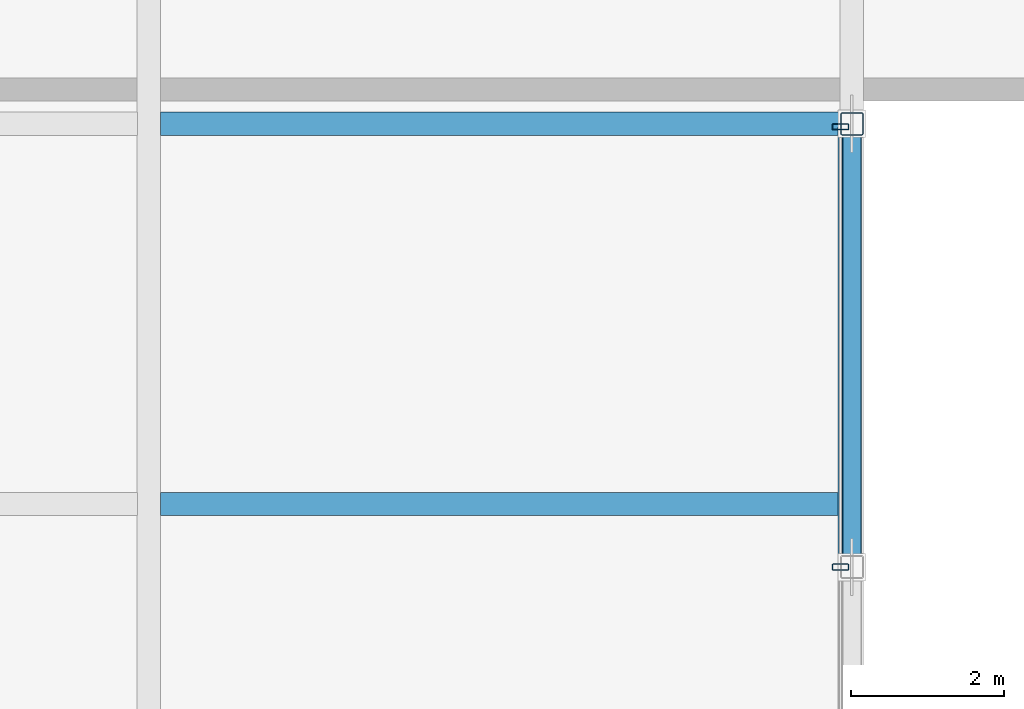
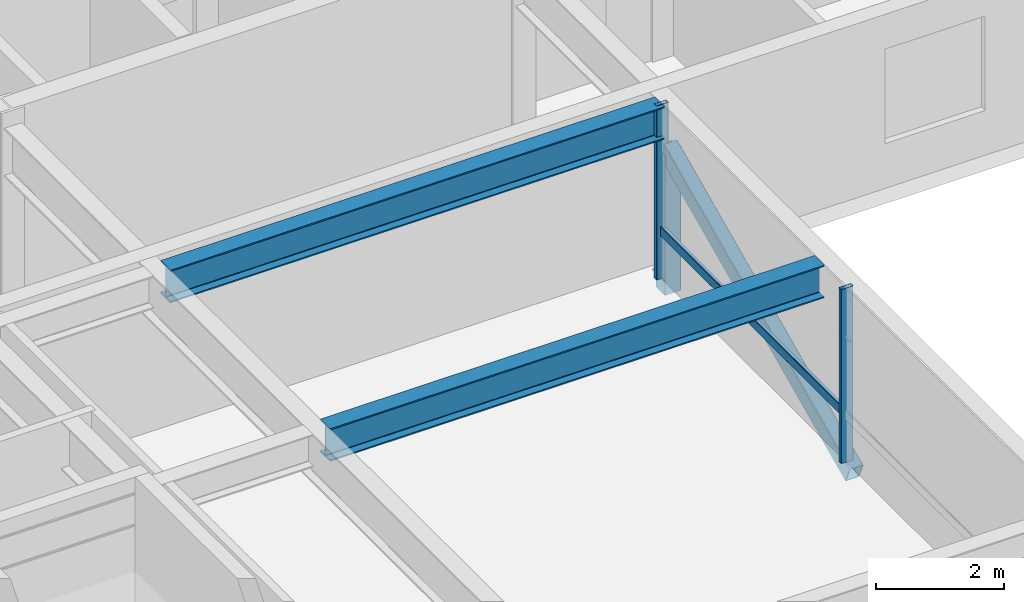
# One storey, part 12 of 36: 5 members, 2 beams, 1 element without a shape of its own.
"""IFC4 building model written with IfcOpenShell, lengths in metres."""

from ifc_helpers import new_model, si_unit, direction, frame, origin, origin_2d, place, context, subcontext, project, spatial, hollow_rectangle, i_section, extrude, material, layer, layer_set, material_profile, profile_set, type_object, element, aggregate, save


model = new_model("IFC4")

# Units and contexts
model_context = context("Model", 3, precision=1e-05, world=origin(), true_north=direction((0.0, 1.0)))
body_context = subcontext(model_context, "Body", "Model", "MODEL_VIEW")
ifc_project = project(units=[si_unit("LENGTHUNIT", "METRE"), si_unit("AREAUNIT", "SQUARE_METRE"), si_unit("VOLUMEUNIT", "CUBIC_METRE"), si_unit("PLANEANGLEUNIT", "RADIAN"), si_unit("MASSUNIT", "GRAM", prefix="KILO")], contexts=[model_context])

# Site, building, storey
site_placement = place(None, origin())
site = spatial("IfcSite", under=ifc_project, at=site_placement, CompositionType="ELEMENT")
building_placement = place(site_placement, origin())
building = spatial("IfcBuilding", under=site, at=building_placement, Name="Korimba Cascade Residences", CompositionType="ELEMENT")
storey_placement = place(building_placement, frame((0.0, 0.0, 142.89990234375)))
storey = spatial("IfcBuildingStorey", under=building, at=storey_placement, Name="L41", CompositionType="ELEMENT", Elevation=142.89990234375)

# Beams
ifc_material_1 = material(Name="Steel S355", Category="steel")
ifc_material_profile_1 = material_profile(ifc_material_1, i_section(OverallWidth=0.30712890625, OverallDepth=0.6201171875, WebThickness=0.01416015625, FlangeThickness=0.023681640625, FilletRadius=0.0166015625, at=origin_2d()), Name="Steel S355")
ifc_profile_set_1 = profile_set([ifc_material_profile_1], Name="Steel S355")
beam_type = type_object("IfcBeamType", Name="BM-STL-UB610A", PredefinedType="BEAM", material=ifc_profile_set_1)
for number, where, z_axis, x_axis, name in (
    (1, (103.052001953125, 45.52490234375, 3.0), (1.0, 0.0, 0.0), (0.0, 1.0, 0.0), "L41 Mid-Bridge Cross Beam 45.5"),
    (2, (103.052001953125, 50.5, 3.0), (1.0, 0.0, 0.0), (0.0, 1.0, 0.0), "L41 Mid-Bridge Cross Beam 50.5"),
):
    element("IfcBeam", number, at=place(storey_placement, frame(where, z_axis=z_axis, x_axis=x_axis)), inside=storey, type_object=beam_type, Name=name, PredefinedType="BEAM", context=body_context, shape_type="SweptSolid", body=[
        extrude(i_section(OverallWidth=0.30712890625, OverallDepth=0.6201171875, WebThickness=0.01416015625, FlangeThickness=0.023681640625, FilletRadius=0.0166015625, at=origin_2d()), origin(), (0.0, 0.0, 1.0), 8.89599609375),
    ])

# Curtain wall, members
ifc_material_2 = material(Name="Anodised Aluminium Curtain Wall Framing", Category="aluminium")
ifc_layer = layer(ifc_material_2, 0.179931640625)
ifc_layer_set = layer_set([ifc_layer], Name="Anodised Aluminium Curtain Wall Framing")
curtain_wall_type = type_object("IfcCurtainWallType", Name="CW-BRG-SYS3", PredefinedType="NOTDEFINED", material=ifc_layer_set)
curtain_wall_placement = place(storey_placement, origin())
curtain_wall = element("IfcCurtainWall", 3, at=curtain_wall_placement, inside=storey, type_object=curtain_wall_type, Name="L41 Curtain Wall CW-L41-BRG-E", PredefinedType="NOTDEFINED")
ifc_material_3 = material(Name="Anodised Aluminium Mullion", Category="aluminium")
ifc_material_profile_2 = material_profile(ifc_material_3, hollow_rectangle(XDim=0.080078125, YDim=0.219970703125, WallThickness=0.00634765625, InnerFilletRadius=0.00634765625, OuterFilletRadius=0.0126953125, at=origin_2d()), Name="Anodised Aluminium Mullion")
ifc_profile_set_2 = profile_set([ifc_material_profile_2], Name="Anodised Aluminium Mullion")
member_type_1 = type_object("IfcMemberType", Name="CWM-MUL-220", PredefinedType="MULLION", material=ifc_profile_set_2)
member_1_placement = place(storey_placement, frame((111.949951171875, 44.699951171875, 0.0), z_axis=(0.0, 0.0, 1.0), x_axis=(0.0, 1.0, 0.0)))
member_1 = element("IfcMember", 4, at=member_1_placement, type_object=member_type_1, Name="CW-L41-BRG-E Mullion 3", PredefinedType="MULLION", context=body_context, shape_type="SweptSolid", body=[
    extrude(hollow_rectangle(XDim=0.080078125, YDim=0.219970703125, WallThickness=0.00634765625, InnerFilletRadius=0.00634765625, OuterFilletRadius=0.0126953125, at=origin_2d()), origin(), (0.0, 0.0, 1.0), 3.31005859375),
])
member_2_placement = place(storey_placement, frame((111.949951171875, 50.4599609375, 0.0), z_axis=(0.0, 0.0, 1.0), x_axis=(0.0, 1.0, 0.0)))
member_2 = element("IfcMember", 5, at=member_2_placement, type_object=member_type_1, Name="CW-L41-BRG-E Mullion 4", PredefinedType="MULLION", context=body_context, shape_type="SweptSolid", body=[
    extrude(hollow_rectangle(XDim=0.080078125, YDim=0.219970703125, WallThickness=0.00634765625, InnerFilletRadius=0.00634765625, OuterFilletRadius=0.0126953125, at=origin_2d()), origin(), (0.0, 0.0, 1.0), 3.31005859375),
])
ifc_material_4 = material(Name="Anodised Aluminium Transom", Category="aluminium")
ifc_material_profile_3 = material_profile(ifc_material_4, hollow_rectangle(XDim=0.070068359375, YDim=0.179931640625, WallThickness=0.0048828125, InnerFilletRadius=0.0048828125, OuterFilletRadius=0.010009765625, at=origin_2d()), Name="Anodised Aluminium Transom")
ifc_profile_set_3 = profile_set([ifc_material_profile_3], Name="Anodised Aluminium Transom")
member_type_2 = type_object("IfcMemberType", Name="CWM-TRN-150", PredefinedType="USERDEFINED", material=ifc_profile_set_3)
member_3_placement = place(storey_placement, frame((111.949951171875, 44.699951171875, 0.900146484375), z_axis=(0.0, 1.0, 0.0), x_axis=(-1.0, 0.0, 0.0)))
member_3 = element("IfcMember", 6, at=member_3_placement, type_object=member_type_2, Name="CW-L41-BRG-E Transom 3", ObjectType="TRANSOM", PredefinedType="USERDEFINED", context=body_context, shape_type="SweptSolid", body=[
    extrude(hollow_rectangle(XDim=0.070068359375, YDim=0.179931640625, WallThickness=0.0048828125, InnerFilletRadius=0.0048828125, OuterFilletRadius=0.010009765625, at=origin_2d()), origin(), (0.0, 0.0, 1.0), 5.760009765625),
])
aggregate(curtain_wall, [member_1, member_2, member_3])

# Members
ifc_material_5 = material(Name="Steel S460", Category="steel")
ifc_material_profile_4 = material_profile(ifc_material_5, hollow_rectangle(XDim=0.25, YDim=0.35009765625, WallThickness=0.012451171875, InnerFilletRadius=0.012451171875, OuterFilletRadius=0.02490234375, at=origin_2d()), Name="Steel S460")
ifc_profile_set_4 = profile_set([ifc_material_profile_4], Name="Steel S460")
member_type_3 = type_object("IfcMemberType", Name="MEM-BRG-SHS350", PredefinedType="BRACE", material=ifc_profile_set_4)
member_4_placement = place(storey_placement, frame((112.10009765625, 44.699951171875, -0.289794921875), z_axis=(0.0, 0.9081740859, 0.418592677552), x_axis=(-1.0, 0.0, 0.0)))
element("IfcMember", 7, at=member_4_placement, inside=storey, type_object=member_type_3, Name="L41 Mid-Bridge Warren Diagonal E3", PredefinedType="BRACE", context=body_context, shape_type="SweptSolid", body=[
    extrude(hollow_rectangle(XDim=0.25, YDim=0.35009765625, WallThickness=0.012451171875, InnerFilletRadius=0.012451171875, OuterFilletRadius=0.02490234375, at=origin_2d()), origin(), (0.0, 0.0, 1.0), 6.386474609375),
])
ifc_material_profile_5 = material_profile(ifc_material_5, hollow_rectangle(XDim=0.300048828125, YDim=0.300048828125, WallThickness=0.012451171875, InnerFilletRadius=0.012451171875, OuterFilletRadius=0.02490234375, at=origin_2d()), Name="Steel S460")
ifc_profile_set_5 = profile_set([ifc_material_profile_5], Name="Steel S460")
member_type_4 = type_object("IfcMemberType", Name="MEM-BRG-STR300", PredefinedType="STRUT", material=ifc_profile_set_5)
member_5_placement = place(storey_placement, frame((112.10009765625, 50.5, -0.289794921875), z_axis=(0.0, 0.0, 1.0), x_axis=(1.0, 0.0, 0.0)))
element("IfcMember", 8, at=member_5_placement, inside=storey, type_object=member_type_4, Name="L41 Mid-Bridge Warren Web Post E4", PredefinedType="STRUT", context=body_context, shape_type="SweptSolid", body=[
    extrude(hollow_rectangle(XDim=0.300048828125, YDim=0.300048828125, WallThickness=0.012451171875, InnerFilletRadius=0.012451171875, OuterFilletRadius=0.02490234375, at=origin_2d()), origin(), (0.0, 0.0, 1.0), 2.67333984375),
])

save(model, "model.ifc")
